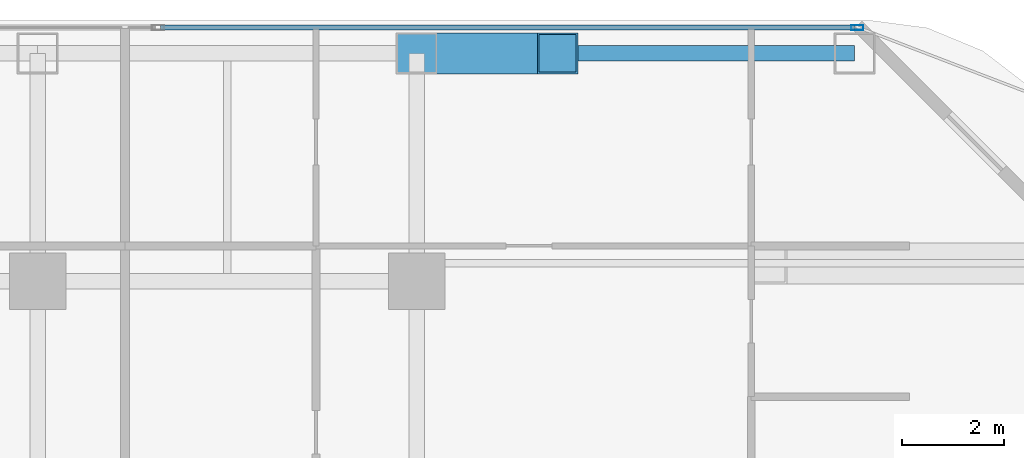
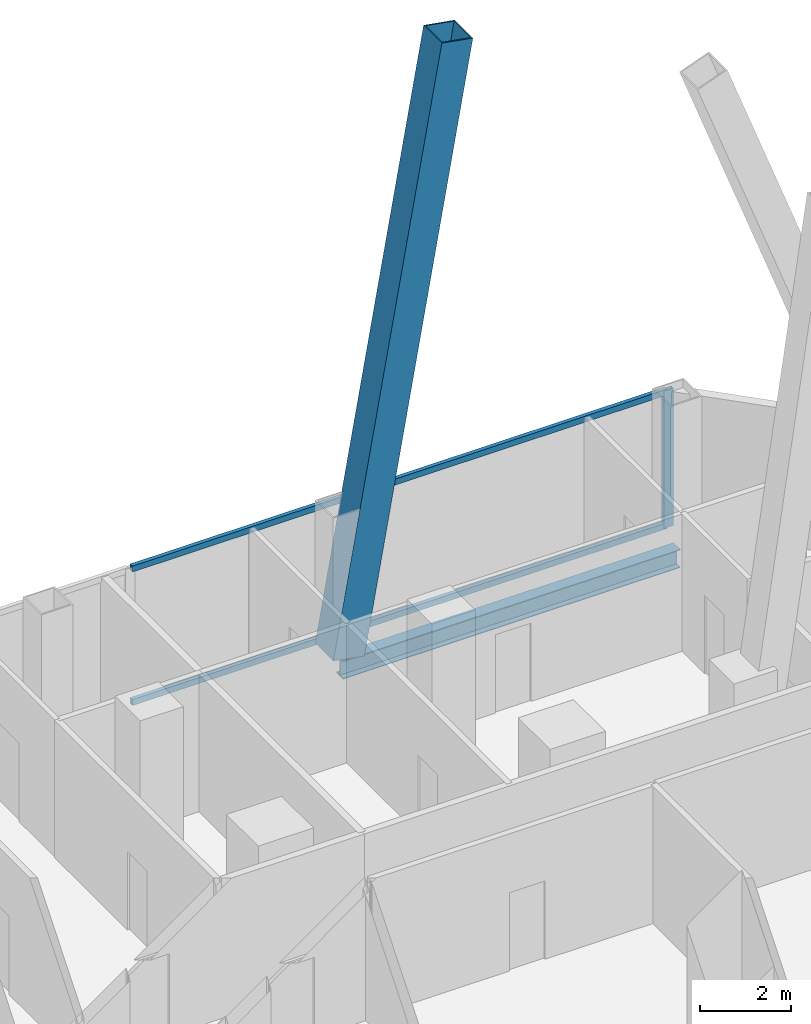
# One storey, part 22 of 33: 4 members, 1 beam, 1 element without a shape of its own.
"""IFC4 building model written with IfcOpenShell, lengths in metres."""

from ifc_helpers import new_model, si_unit, direction, frame, origin, origin_2d, place, context, subcontext, project, spatial, hollow_rectangle, i_section, extrude, material, layer, layer_set, material_profile, profile_set, type_object, element, aggregate, save


model = new_model("IFC4")

# Units and contexts
model_context = context("Model", 3, precision=1e-05, world=origin(), true_north=direction((0.0, 1.0)))
body_context = subcontext(model_context, "Body", "Model", "MODEL_VIEW")
ifc_project = project(units=[si_unit("LENGTHUNIT", "METRE"), si_unit("AREAUNIT", "SQUARE_METRE"), si_unit("VOLUMEUNIT", "CUBIC_METRE"), si_unit("PLANEANGLEUNIT", "RADIAN"), si_unit("MASSUNIT", "GRAM", prefix="KILO")], contexts=[model_context])

# Site, building, storey
site_placement = place(None, origin())
site = spatial("IfcSite", under=ifc_project, at=site_placement, CompositionType="ELEMENT")
building_placement = place(site_placement, origin())
building = spatial("IfcBuilding", under=site, at=building_placement, Name="Khorvyn Point Tower", CompositionType="ELEMENT")
storey_placement = place(building_placement, frame((0.0, 0.0, 38.39990234375)))
storey = spatial("IfcBuildingStorey", under=building, at=storey_placement, Name="L10", CompositionType="ELEMENT", Elevation=38.39990234375)

# Curtain wall, members
ifc_material_1 = material(Name="Anodised aluminium 6063-T6 and laminated Low-E glass", Category="aluminium")
ifc_layer = layer(ifc_material_1, 0.18994140625)
ifc_layer_set = layer_set([ifc_layer], Name="Stick-Built Finned Residential Curtain Wall CW-SYS-02")
curtain_wall_type = type_object("IfcCurtainWallType", Name="Stick-Built Finned Residential Curtain Wall CW-SYS-02", PredefinedType="NOTDEFINED", material=ifc_layer_set)
curtain_wall_placement = place(storey_placement, origin())
curtain_wall = element("IfcCurtainWall", 1, at=curtain_wall_placement, inside=storey, type_object=curtain_wall_type, Name="Curtain Wall", PredefinedType="NOTDEFINED")
ifc_material_2 = material(Name="Anodised aluminium 6063-T6", Category="aluminium")
ifc_material_profile_1 = material_profile(ifc_material_2, hollow_rectangle(XDim=0.10009765625, YDim=0.239990234375, WallThickness=0.0048828125, at=origin_2d()))
ifc_profile_set_1 = profile_set([ifc_material_profile_1], Name="Anodised aluminium 6063-T6 ALU-MUL-100x240")
member_type_1 = type_object("IfcMemberType", Name="Anodised Aluminium 6063-T6 Mullion ALU-MUL-100x240", PredefinedType="MULLION", material=ifc_profile_set_1)
member_1_placement = place(storey_placement, frame((23.39990234375, 25.050048828125, 0.0), z_axis=(0.0, 0.0, 1.0), x_axis=(0.0, 1.0, 0.0)))
member_1 = element("IfcMember", 2, at=member_1_placement, type_object=member_type_1, Name="Transom", PredefinedType="MULLION", context=body_context, shape_type="SweptSolid", body=[
    extrude(hollow_rectangle(XDim=0.10009765625, YDim=0.239990234375, WallThickness=0.0048828125, at=origin_2d()), origin(), (0.0, 0.0, 1.0), 3.68017578125),
])
ifc_material_profile_2 = material_profile(ifc_material_2, hollow_rectangle(XDim=0.10009765625, YDim=0.159912109375, WallThickness=0.00439453125, at=origin_2d()))
ifc_profile_set_2 = profile_set([ifc_material_profile_2], Name="Anodised aluminium 6063-T6 ALU-TRN-100x160")
member_type_2 = type_object("IfcMemberType", Name="Anodised Aluminium 6063-T6 Transom ALU-TRN-100x160", PredefinedType="USERDEFINED", material=ifc_profile_set_2)
member_2_placement = place(storey_placement, frame((9.800048828125, 25.050048828125, 0.050048828125), z_axis=(1.0, 0.0, 0.0), x_axis=(0.0, 1.0, 0.0)))
member_2 = element("IfcMember", 3, at=member_2_placement, type_object=member_type_2, Name="Transom", ObjectType="TRANSOM", PredefinedType="USERDEFINED", context=body_context, shape_type="SweptSolid", body=[
    extrude(hollow_rectangle(XDim=0.10009765625, YDim=0.159912109375, WallThickness=0.00439453125, at=origin_2d()), origin(), (0.0, 0.0, 1.0), 13.550048828125),
])
member_3_placement = place(storey_placement, frame((9.800048828125, 25.050048828125, 3.630126953125), z_axis=(1.0, 0.0, 0.0), x_axis=(0.0, 1.0, 0.0)))
member_3 = element("IfcMember", 4, at=member_3_placement, type_object=member_type_2, Name="Transom", ObjectType="TRANSOM", PredefinedType="USERDEFINED", context=body_context, shape_type="SweptSolid", body=[
    extrude(hollow_rectangle(XDim=0.10009765625, YDim=0.159912109375, WallThickness=0.00439453125, at=origin_2d()), origin(), (0.0, 0.0, 1.0), 13.550048828125),
])
aggregate(curtain_wall, [member_1, member_2, member_3])

# Beam
ifc_material_3 = material(Name="Steel S355", Category="steel")
ifc_material_profile_3 = material_profile(ifc_material_3, i_section(OverallWidth=0.300048828125, OverallDepth=0.488037109375, WebThickness=0.010986328125, FlangeThickness=0.01806640625, at=origin_2d()))
ifc_profile_set_3 = profile_set([ifc_material_profile_3], Name="Steel S355 H488x300x11x18")
beam_type = type_object("IfcBeamType", Name="Steel S355 Spandrel H488x300x11x18", PredefinedType="SPANDREL", material=ifc_profile_set_3)
beam_placement = place(storey_placement, frame((14.800048828125, 24.550048828125, -0.4638671875), z_axis=(1.0, 0.0, 0.0), x_axis=(0.0, 1.0, 0.0)))
element("IfcBeam", 5, at=beam_placement, inside=storey, type_object=beam_type, Name="Beam", PredefinedType="SPANDREL", context=body_context, shape_type="SweptSolid", body=[
    extrude(i_section(OverallWidth=0.300048828125, OverallDepth=0.488037109375, WebThickness=0.010986328125, FlangeThickness=0.01806640625, at=origin_2d()), origin(), (0.0, 0.0, 1.0), 8.550048828125),
])

# Member
ifc_material_4 = material(Name="Steel S450", Category="steel")
ifc_material_profile_4 = material_profile(ifc_material_4, hollow_rectangle(XDim=0.800048828125, YDim=0.800048828125, WallThickness=0.035888671875, at=origin_2d()))
ifc_profile_set_4 = profile_set([ifc_material_profile_4], Name="Steel S450 BOX800x800x36")
member_type_3 = type_object("IfcMemberType", Name="Steel S450 Exoskeleton Structural Post BOX800x800x36", PredefinedType="POST", material=ifc_profile_set_4)
member_4_placement = place(storey_placement, frame((14.800048828125, 24.550048828125, 0.0), z_axis=(0.173604210519, 0.0, 0.984815504595), x_axis=(0.0, 1.0, 0.0)))
element("IfcMember", 6, at=member_4_placement, inside=storey, type_object=member_type_3, Name="L10 to L14 Exoskeleton Transfer Post 04", PredefinedType="POST", context=body_context, shape_type="SweptSolid", body=[
    extrude(hollow_rectangle(XDim=0.800048828125, YDim=0.800048828125, WallThickness=0.035888671875, at=origin_2d()), origin(), (0.0, 0.0, 1.0), 15.840576171875),
])

save(model, "model.ifc")
